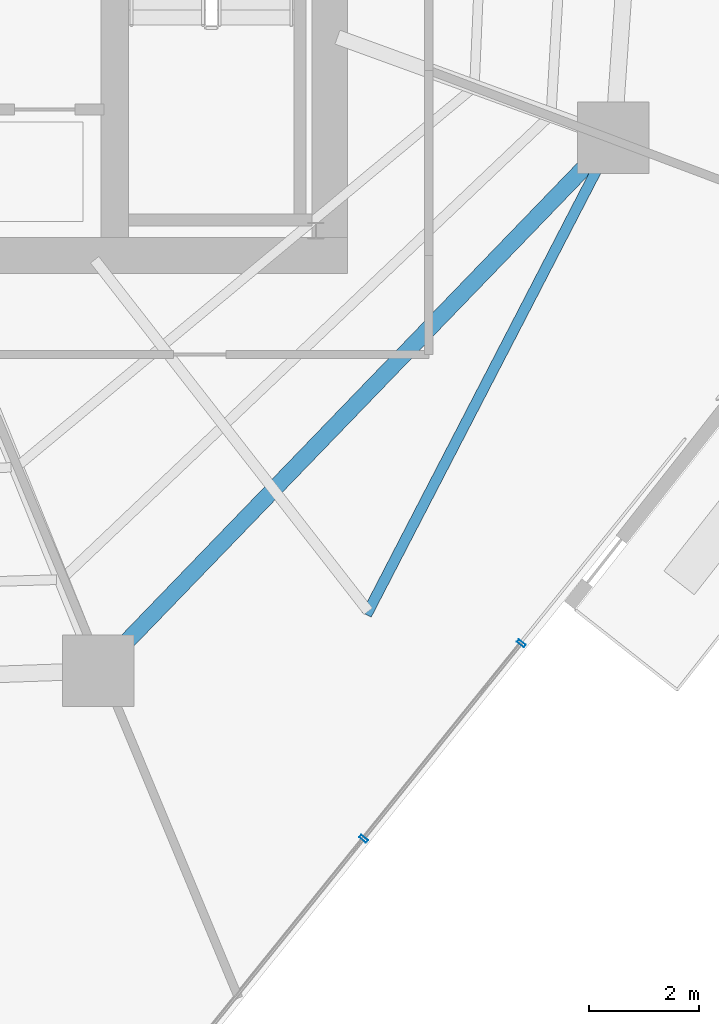
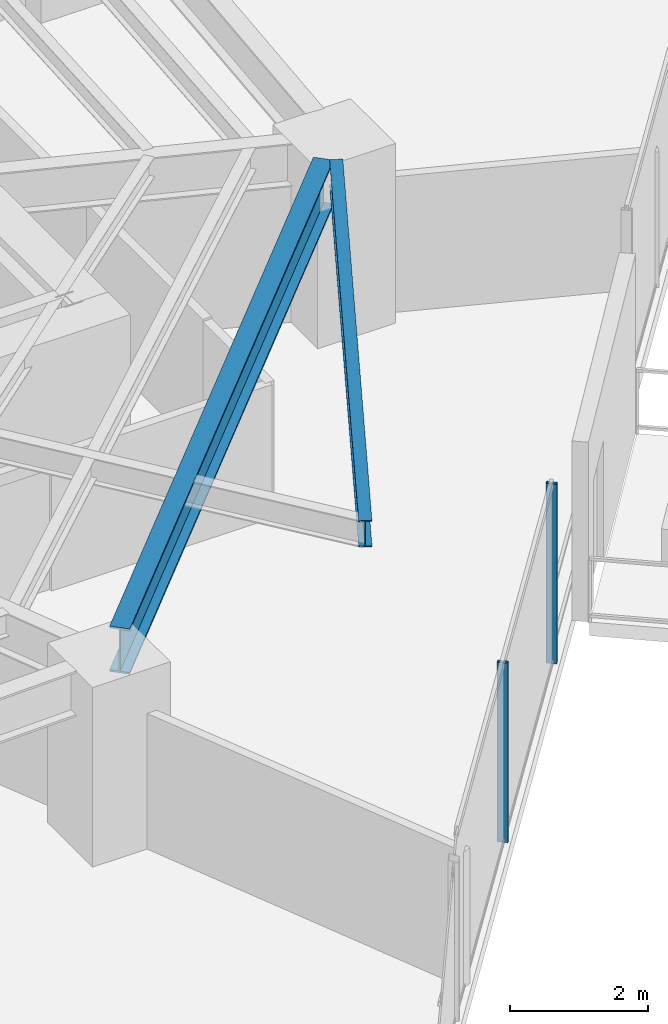
# One storey, part 11 of 32: 2 beams, 2 members, 1 element without a shape of its own.
"""IFC4 building model written with IfcOpenShell, lengths in metres."""

import ifcopenshell
import ifcopenshell.guid

model = None  # the IFC model being written
_history = None  # IfcOwnerHistory: only IFC2X3 demands one
_inside = {}  # id of a spatial element -> (the spatial element, [elements in it])
_under = {}  # id of a project, library or spatial element -> (it, [spatial elements below it])
_declared = {}  # id of a project -> (the project, [libraries it declares])
_typed = {}  # id of a type object -> (the type object, [elements of that type])
_made_of = {}  # id of a material, layer set ... -> (it, [elements and type objects made of it])


def new_model(schema):
    """Start an empty IFC model of exactly this schema.

    Asked for "IFC4X3", IfcOpenShell would pick the latest addendum, in which some entities
    have other attributes; the version numbers below select the first issue.
    IFC2X3 requires an IfcOwnerHistory on every rooted entity: one is made here for all.
    """
    global model, _history
    if schema == "IFC4X3":
        model = ifcopenshell.file(schema_version=(4, 3, 0, 0))
    else:
        model = ifcopenshell.file(schema=schema)
    _inside.clear()
    _under.clear()
    _declared.clear()
    _typed.clear()
    _made_of.clear()
    _history = None
    if model.schema == "IFC2X3":
        org = make("IfcOrganization", Name="unknown")
        user = make(
            "IfcPersonAndOrganization",
            ThePerson=make("IfcPerson", FamilyName="unknown"),
            TheOrganization=org,
        )
        app = make(
            "IfcApplication",
            ApplicationDeveloper=org,
            Version="unknown",
            ApplicationFullName="unknown",
            ApplicationIdentifier="unknown",
        )
        _history = make(
            "IfcOwnerHistory",
            OwningUser=user,
            OwningApplication=app,
            ChangeAction="ADDED",
            CreationDate=0,
        )
    return model


def make(cls, **values):
    """One entity of the class cls with the attributes given. An attribute that is None is left unset."""
    return model.create_entity(
        cls, **{name: value for name, value in values.items() if value is not None}
    )


def rooted(cls, **values):
    """An entity with a GlobalId (a new one), such as an element, a storey or a relation."""
    return make(cls, GlobalId=ifcopenshell.guid.new(), OwnerHistory=_history, **values)


def si_unit(unit_type, name, prefix=None):
    """IfcSIUnit, for example si_unit("LENGTHUNIT", "METRE", prefix="MILLI")."""
    return make("IfcSIUnit", UnitType=unit_type, Prefix=prefix, Name=name)


def assignment(units):
    """IfcUnitAssignment: the units of a project."""
    return None if units is None else make("IfcUnitAssignment", Units=units)


def point(xyz):
    """IfcCartesianPoint."""
    return None if xyz is None else make("IfcCartesianPoint", Coordinates=xyz)


def direction(xyz):
    """IfcDirection."""
    return None if xyz is None else make("IfcDirection", DirectionRatios=xyz)


def frame(location, z_axis=None, x_axis=None):
    """IfcAxis2Placement3D, a coordinate frame: its origin and axes. An axis left out is left unset."""
    return make(
        "IfcAxis2Placement3D",
        Location=point(location),
        Axis=direction(z_axis),
        RefDirection=direction(x_axis),
    )


def frame_2d(location, x_axis=None):
    """IfcAxis2Placement2D, a coordinate frame in the plane: its origin and x axis."""
    return make(
        "IfcAxis2Placement2D", Location=point(location), RefDirection=direction(x_axis)
    )


def origin():
    """The frame at (0, 0, 0) with its axes left unset."""
    return frame((0.0, 0.0, 0.0))


def origin_2d():
    """The frame at (0, 0) in the plane with its x axis left unset."""
    return frame_2d((0.0, 0.0))


def place(relative_to, where):
    """IfcLocalPlacement: puts the frame where relative to a parent placement (None: the world)."""
    return make(
        "IfcLocalPlacement", PlacementRelTo=relative_to, RelativePlacement=where
    )


def context(
    kind, dimensions, precision=None, world=None, true_north=None, identifier=None
):
    """IfcGeometricRepresentationContext, for example the 3D "Model" context."""
    return make(
        "IfcGeometricRepresentationContext",
        ContextIdentifier=identifier,
        ContextType=kind,
        CoordinateSpaceDimension=dimensions,
        Precision=precision,
        WorldCoordinateSystem=world,
        TrueNorth=true_north,
    )


def subcontext(parent, identifier, kind, view, scale=None):
    """IfcGeometricRepresentationSubContext, for example "Body" below "Model"."""
    return make(
        "IfcGeometricRepresentationSubContext",
        ContextIdentifier=identifier,
        ContextType=kind,
        ParentContext=parent,
        TargetScale=scale,
        TargetView=view,
    )


def project(units=None, contexts=None):
    """IfcProject with its units and contexts."""
    return rooted(
        "IfcProject",
        Name="project",
        RepresentationContexts=contexts,
        UnitsInContext=assignment(units),
    )


def spatial(cls, under=None, at=None, **own):
    """A site, building, storey or space (cls), placed at a placement, below another one or the project."""
    s = rooted(cls, ObjectPlacement=at, **own)
    if under is not None:
        _under.setdefault(under.id(), (under, []))[1].append(s)
    return s


def profile(cls, at=None, kind="AREA", **sizes):
    """A parametric profile (cls). Its sizes go by their IFC names, for example OverallWidth=200.0."""
    return make(cls, ProfileType=kind, Position=at, **sizes)


def hollow_rectangle(**sizes):
    """IfcRectangleHollowProfileDef."""
    return profile("IfcRectangleHollowProfileDef", **sizes)


def i_section(**sizes):
    """IfcIShapeProfileDef."""
    return profile("IfcIShapeProfileDef", **sizes)


def extrude(swept, where, along, depth):
    """IfcExtrudedAreaSolid: the profile swept, set in the frame where, extruded along a direction by depth."""
    return make(
        "IfcExtrudedAreaSolid",
        SweptArea=swept,
        Position=where,
        ExtrudedDirection=direction(along),
        Depth=depth,
    )


def shape(context_of_items, identifier, shape_type, items):
    """IfcShapeRepresentation: the items that make up one representation, for example the "Body"."""
    return make(
        "IfcShapeRepresentation",
        ContextOfItems=context_of_items,
        RepresentationIdentifier=identifier,
        RepresentationType=shape_type,
        Items=items,
    )


def material(Name=None, Category=None):
    """IfcMaterial."""
    return make("IfcMaterial", Name=Name, Category=Category)


def layer(
    of_material, thickness, ventilated=None, Name=None, Category=None, Priority=None
):
    """IfcMaterialLayer: one layer of a wall or slab, of a material (None: an air gap)."""
    return make(
        "IfcMaterialLayer",
        Material=of_material,
        LayerThickness=thickness,
        IsVentilated=ventilated,
        Name=Name,
        Category=Category,
        Priority=Priority,
    )


def layer_set(layers, Name=None):
    """IfcMaterialLayerSet."""
    return make("IfcMaterialLayerSet", MaterialLayers=layers, LayerSetName=Name)


def material_profile(
    of_material, cross_section, Name=None, Category=None, Priority=None
):
    """IfcMaterialProfile: a cross section and its material."""
    return make(
        "IfcMaterialProfile",
        Name=Name,
        Material=of_material,
        Profile=cross_section,
        Priority=Priority,
        Category=Category,
    )


def profile_set(profiles, Name=None, composite=None):
    """IfcMaterialProfileSet."""
    return make(
        "IfcMaterialProfileSet",
        Name=Name,
        MaterialProfiles=profiles,
        CompositeProfile=composite,
    )


def made_of(thing, what):
    """Note that an element or type object is made of a material, layer set ...; save() writes the relation."""
    if what is not None:
        _made_of.setdefault(what.id(), (what, []))[1].append(thing)
    return thing


def type_object(cls, material=None, **own):
    """A type object (cls), such as IfcWallType, which elements share."""
    return made_of(rooted(cls, **own), material)


def element(
    cls,
    number,
    at=None,
    inside=None,
    cuts=None,
    type_object=None,
    material=None,
    context=None,
    identifier="Body",
    shape_type=None,
    held_by="IfcProductDefinitionShape",
    body=None,
    shapes=None,
    **own,
):
    """One element of the class cls, such as IfcWall. Its Tag is "e" and its number.

    at: its placement. inside: the storey or other place that contains it. cuts: it is an
    opening in that element (IfcRelVoidsElement). A single representation is given by context,
    identifier, shape_type and body (its items); several are given by shapes. held_by: the class
    of the entity that holds the representations. save() writes the other relations.
    """
    e = rooted(cls, Tag="e%d" % number, ObjectPlacement=at, **own)
    if body is not None:
        shapes = [shape(context, identifier, shape_type, body)]
    if shapes is not None:
        e.Representation = make(held_by, Representations=shapes)
    if inside is not None:
        _inside.setdefault(inside.id(), (inside, []))[1].append(e)
    if cuts is not None:
        rooted(
            "IfcRelVoidsElement", RelatingBuildingElement=cuts, RelatedOpeningElement=e
        )
    if type_object is not None:
        _typed.setdefault(type_object.id(), (type_object, []))[1].append(e)
    return made_of(e, material)


def aggregate(whole, parts):
    """IfcRelAggregates: a whole, such as a stair, and the parts it consists of."""
    return rooted("IfcRelAggregates", RelatingObject=whole, RelatedObjects=parts)


def save(model, path):
    """Write the relations noted so far, then the file.

    IfcRelAggregates (storeys below a building ...), IfcRelContainedInSpatialStructure (elements
    in a storey), IfcRelDefinesByType, IfcRelAssociatesMaterial and IfcRelDeclares: one each for
    every whole, place, type object, material and project.
    """
    for whole, parts in _under.values():
        aggregate(whole, parts)
    for where, things in _inside.values():
        rooted(
            "IfcRelContainedInSpatialStructure",
            RelatedElements=things,
            RelatingStructure=where,
        )
    for kind, things in _typed.values():
        rooted("IfcRelDefinesByType", RelatedObjects=things, RelatingType=kind)
    for what, things in _made_of.values():
        rooted("IfcRelAssociatesMaterial", RelatedObjects=things, RelatingMaterial=what)
    for by, libraries in _declared.values():
        rooted("IfcRelDeclares", RelatingContext=by, RelatedDefinitions=libraries)
    model.write(path)


model = new_model("IFC4")

# Units and contexts
model_context = context("Model", 3, precision=1e-05, world=origin(), true_north=direction((0.0, 1.0)))
body_context = subcontext(model_context, "Body", "Model", "MODEL_VIEW")
ifc_project = project(units=[si_unit("LENGTHUNIT", "METRE"), si_unit("AREAUNIT", "SQUARE_METRE"), si_unit("VOLUMEUNIT", "CUBIC_METRE"), si_unit("PLANEANGLEUNIT", "RADIAN"), si_unit("MASSUNIT", "GRAM", prefix="KILO")], contexts=[model_context])

# Site, building, storey
site_placement = place(None, origin())
site = spatial("IfcSite", under=ifc_project, at=site_placement, CompositionType="ELEMENT")
building_placement = place(site_placement, origin())
building = spatial("IfcBuilding", under=site, at=building_placement, Name="Qarnah Convention Tower", CompositionType="ELEMENT")
storey_placement = place(building_placement, frame((0.0, 0.0, 37.35009765625)))
storey = spatial("IfcBuildingStorey", under=building, at=storey_placement, Name="L08", CompositionType="ELEMENT", Elevation=37.35009765625)

# Beams
ifc_material_1 = material(Name="Structural steel S355JR", Category="steel")
ifc_material_profile_1 = material_profile(ifc_material_1, i_section(OverallWidth=0.19189453125, OverallDepth=0.464111328125, WebThickness=0.010986328125, FlangeThickness=0.01806640625, at=origin_2d()), Name="W460X89")
ifc_profile_set_1 = profile_set([ifc_material_profile_1], Name="Structural steel S355JR")
beam_type_1 = type_object("IfcBeamType", Name="BM-CANT-W460A", PredefinedType="BEAM", material=ifc_profile_set_1)
beam_1_placement = place(storey_placement, frame((48.26904296875, 12.074951171875, 2.93798828125), z_axis=(0.459489942742, 0.888182972432, 0.0), x_axis=(-0.888182972432, 0.459489942742, 0.0)))
element("IfcBeam", 1, at=beam_1_placement, inside=storey, type_object=beam_type_1, Name="L08 spandrel BM-L08-CTIE-03", PredefinedType="SPANDREL", context=body_context, shape_type="SweptSolid", body=[
    extrude(i_section(OverallWidth=0.19189453125, OverallDepth=0.464111328125, WebThickness=0.010986328125, FlangeThickness=0.01806640625, at=origin_2d()), origin(), (0.0, 0.0, 1.0), 9.116455078125),
])
ifc_material_profile_2 = material_profile(ifc_material_1, i_section(OverallWidth=0.300048828125, OverallDepth=0.800048828125, WebThickness=0.01806640625, FlangeThickness=0.032958984375, at=origin_2d()), Name="HEB800")
ifc_profile_set_2 = profile_set([ifc_material_profile_2], Name="Structural steel S355JR")
beam_type_2 = type_object("IfcBeamType", Name="BM-RING-HEB800", PredefinedType="BEAM", material=ifc_profile_set_2)
beam_2_placement = place(storey_placement, frame((43.844970703125, 11.514892578125, 2.77001953125), z_axis=(0.694553028655, 0.719441512832, 0.0), x_axis=(-0.719441512832, 0.694553028655, 0.0)))
element("IfcBeam", 2, at=beam_2_placement, inside=storey, type_object=beam_type_2, Name="L08 beam BM-L08-SPN-08", PredefinedType="BEAM", context=body_context, shape_type="SweptSolid", body=[
    extrude(i_section(OverallWidth=0.300048828125, OverallDepth=0.800048828125, WebThickness=0.01806640625, FlangeThickness=0.032958984375, at=origin_2d()), origin(), (0.0, 0.0, 1.0), 12.183349609375),
])

# Curtain wall, members
ifc_material_2 = material(Name="Tempered Low-E dark glass", Category="glass")
ifc_layer = layer(ifc_material_2, 0.16796875)
ifc_layer_set = layer_set([ifc_layer], Name="Tempered Low-E dark glass")
curtain_wall_type = type_object("IfcCurtainWallType", Name="CWS-01", PredefinedType="NOTDEFINED", material=ifc_layer_set)
curtain_wall_placement = place(storey_placement, origin())
curtain_wall = element("IfcCurtainWall", 3, at=curtain_wall_placement, inside=storey, type_object=curtain_wall_type, Name="L08 unitised curtain wall CW-L08-F4", PredefinedType="NOTDEFINED")
ifc_material_3 = material(Name="Black anodised aluminium", Category="aluminium")
ifc_material_profile_3 = material_profile(ifc_material_3, hollow_rectangle(XDim=0.06005859375, YDim=0.159912109375, WallThickness=0.00390625, at=origin_2d()), Name="MUL-60X160")
ifc_profile_set_3 = profile_set([ifc_material_profile_3], Name="Black anodised aluminium")
member_type = type_object("IfcMemberType", Name="MUL-T1", PredefinedType="MULLION", material=ifc_profile_set_3)
member_1_placement = place(storey_placement, frame((51.0791015625, 11.553955078125, 0.0), z_axis=(0.0, 0.0, 1.0), x_axis=(-0.62812100032, -0.77811567839, 0.0)))
member_1 = element("IfcMember", 4, at=member_1_placement, type_object=member_type, Name="CW-L08-F4 mullion 1", PredefinedType="MULLION", context=body_context, shape_type="SweptSolid", body=[
    extrude(hollow_rectangle(XDim=0.06005859375, YDim=0.159912109375, WallThickness=0.00390625, at=origin_2d()), origin(), (0.0, 0.0, 1.0), 3.169921875),
])
member_2_placement = place(storey_placement, frame((48.214599609375, 8.005615234375, 0.0), z_axis=(0.0, 0.0, 1.0), x_axis=(-0.62812100032, -0.77811567839, 0.0)))
member_2 = element("IfcMember", 5, at=member_2_placement, type_object=member_type, Name="CW-L08-F4 mullion 2", PredefinedType="MULLION", context=body_context, shape_type="SweptSolid", body=[
    extrude(hollow_rectangle(XDim=0.06005859375, YDim=0.159912109375, WallThickness=0.00390625, at=origin_2d()), origin(), (0.0, 0.0, 1.0), 3.169921875),
])
aggregate(curtain_wall, [member_1, member_2])

save(model, "model.ifc")
